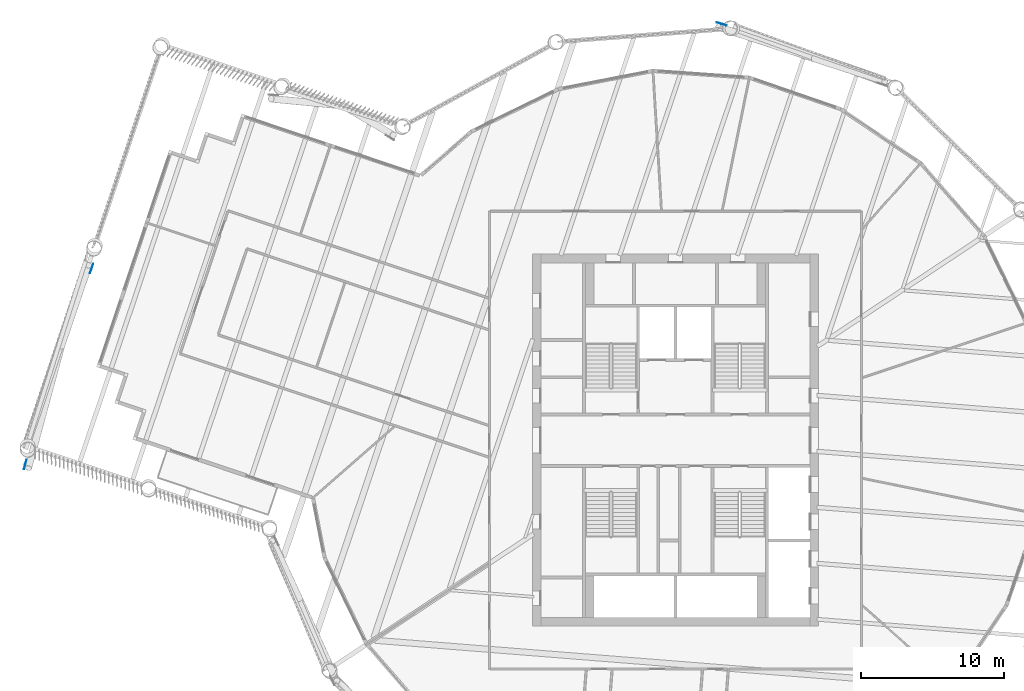
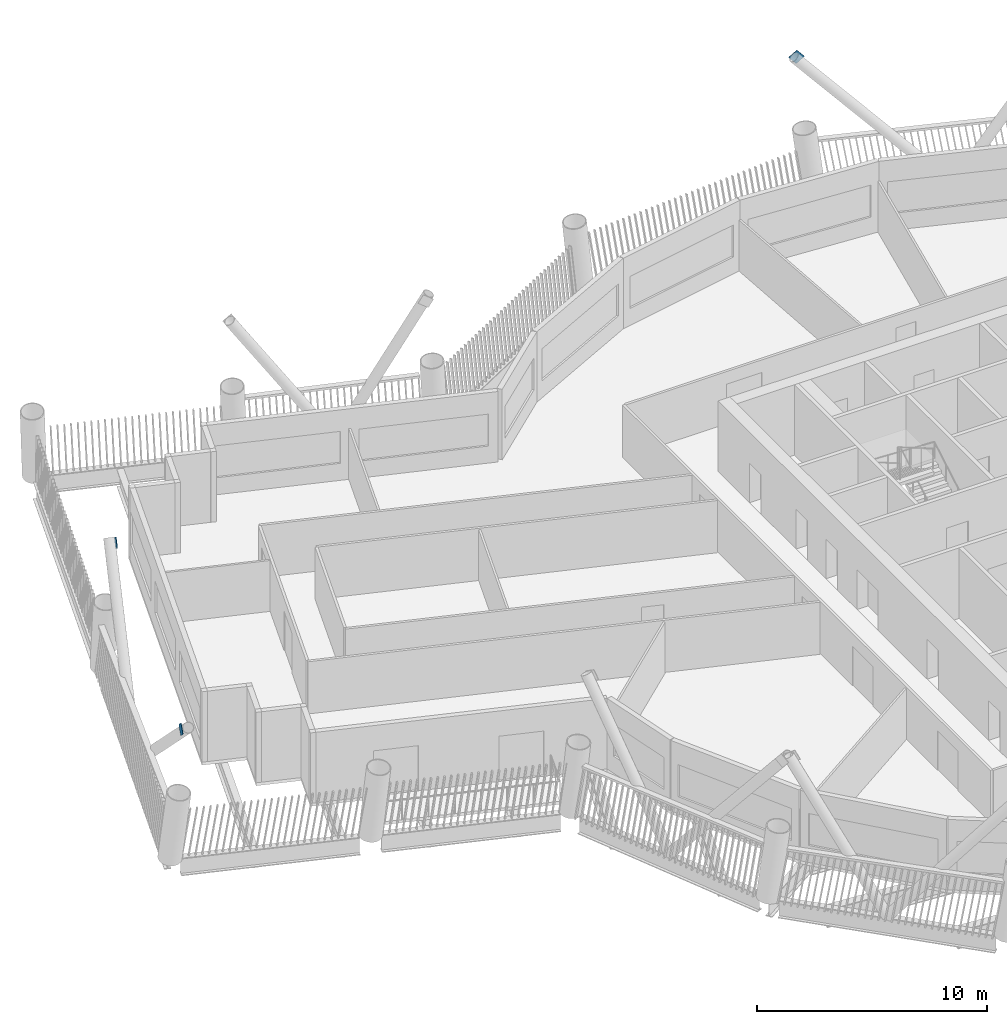
# One storey, part 9 of 21: 3 discrete accessories.
"""IFC4 building model written with IfcOpenShell, lengths in metres."""

from ifc_helpers import new_model, si_unit, direction, frame, origin, origin_2d, place, context, subcontext, project, spatial, rectangle, extrude, material, material_profile, profile_set, type_object, element, save


model = new_model("IFC4")

# Units and contexts
model_context = context("Model", 3, precision=1e-05, world=origin(), true_north=direction((0.0, 1.0)))
body_context = subcontext(model_context, "Body", "Model", "MODEL_VIEW")
ifc_project = project(units=[si_unit("LENGTHUNIT", "METRE"), si_unit("AREAUNIT", "SQUARE_METRE"), si_unit("VOLUMEUNIT", "CUBIC_METRE"), si_unit("PLANEANGLEUNIT", "RADIAN"), si_unit("MASSUNIT", "GRAM", prefix="KILO")], contexts=[model_context])

# Site, building, storey
site_placement = place(None, origin())
site = spatial("IfcSite", under=ifc_project, at=site_placement, CompositionType="ELEMENT")
building_placement = place(site_placement, origin())
building = spatial("IfcBuilding", under=site, at=building_placement, Name="Tarsis Ring Headquarters", CompositionType="ELEMENT")
storey_placement = place(building_placement, frame((0.0, 0.0, 208.199951171875)))
storey = spatial("IfcBuildingStorey", under=building, at=storey_placement, Name="L48", CompositionType="ELEMENT", Elevation=208.199951171875)

# Discrete accessories
ifc_material = material(Name="Structural steel S355", Category="steel")
ifc_material_profile = material_profile(ifc_material, rectangle(XDim=0.02490234375, YDim=0.5, at=origin_2d()), Name="PL 25x500")
ifc_profile_set = profile_set([ifc_material_profile], Name="Structural steel S355")
discrete_accessory_type = type_object("IfcDiscreteAccessoryType", Name="Gusset plate Exo brace 25", PredefinedType="BRACKET", material=ifc_profile_set)
for number, where, z_axis, x_axis, name in (
    (1, (3.076904296875, 29.14697265625, 7.800048828125), (0.638173399621, -0.209957583655, -0.740710824197), (0.312518734757, 0.949911596111, 0.0), "Gusset plate GP5"),
    (2, (-45.501708984375, -1.885986328125, 7.800048828125), (0.196297276233, 0.723663092978, -0.661648779342), (-0.965123596302, 0.261794659726, 0.0), "Gusset plate GP5"),
    (3, (-40.763916015625, 12.141845703125, 7.800048828125), (-0.195300649999, -0.575160414246, -0.79438539387), (0.946900059883, -0.321528033916, 0.0), "Gusset plate GP5"),
):
    element("IfcDiscreteAccessory", number, at=place(storey_placement, frame(where, z_axis=z_axis, x_axis=x_axis)), inside=storey, type_object=discrete_accessory_type, Name=name, PredefinedType="BRACKET", context=body_context, shape_type="SweptSolid", body=[
        extrude(rectangle(XDim=0.02490234375, YDim=0.5, at=origin_2d()), origin(), (0.0, 0.0, 1.0), 0.5),
    ])

save(model, "model.ifc")
